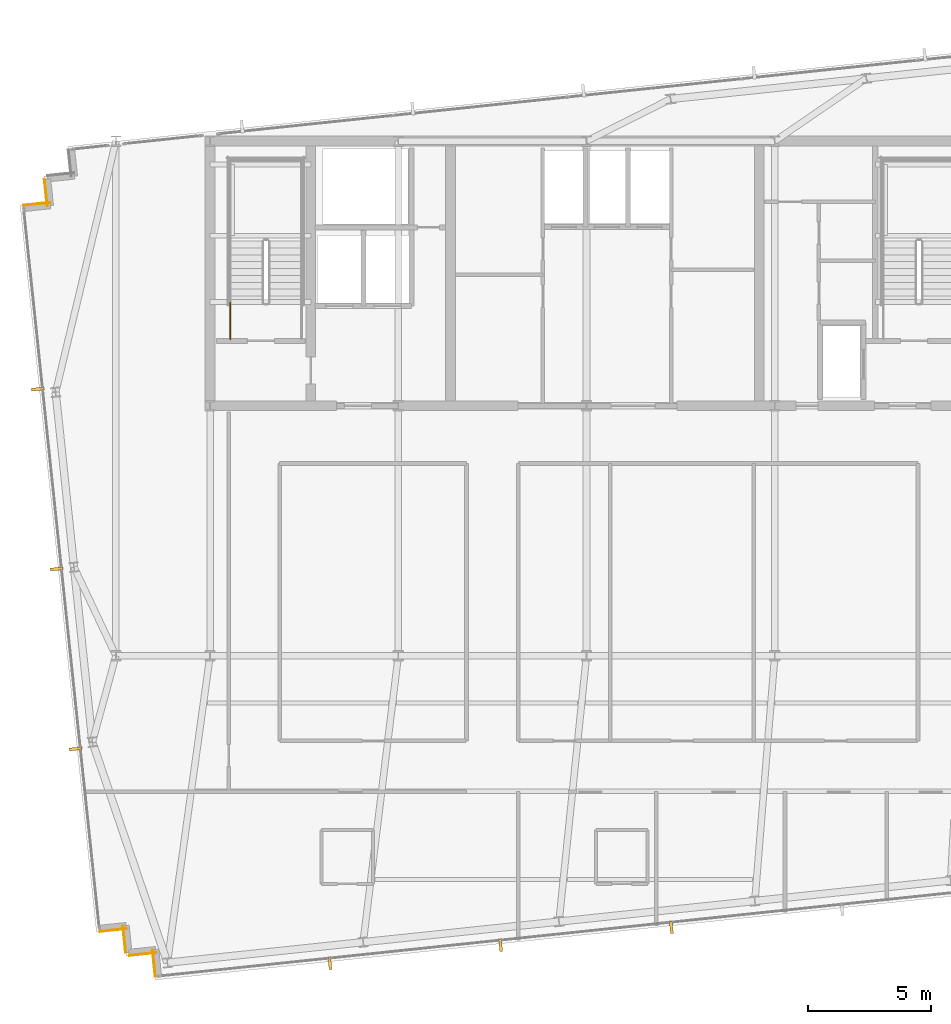
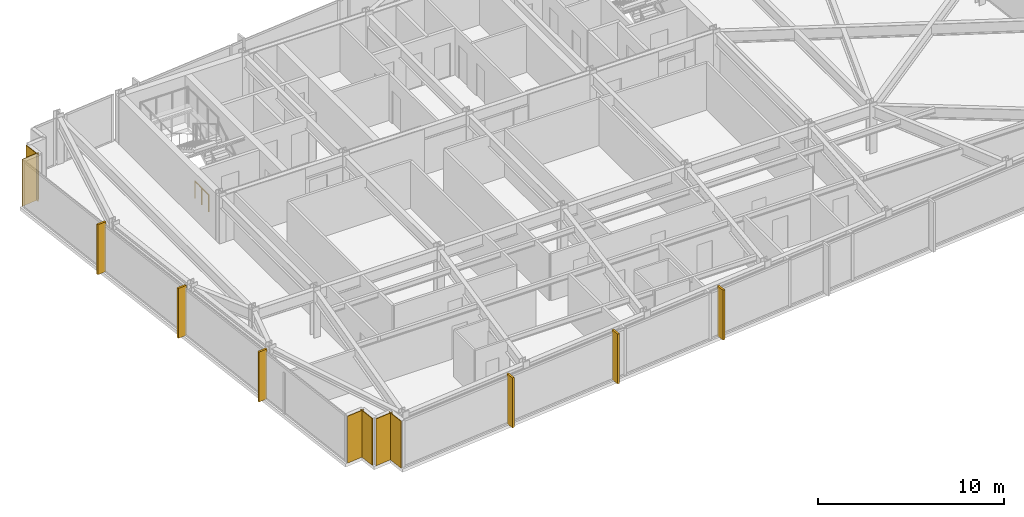
# One storey, part 29 of 32: 6 coverings, 6 shading devices, 1 railing.
"""IFC4 building model written with IfcOpenShell, lengths in metres."""

from ifc_helpers import new_model, si_unit, direction, frame, frame_2d, origin, origin_2d, place, context, subcontext, project, spatial, rectangle, circle, extrude, material, layer, layer_set, type_object, element, save


model = new_model("IFC4")

# Units and contexts
model_context = context("Model", 3, precision=1e-05, world=origin(), true_north=direction((0.0, 1.0)))
body_context = subcontext(model_context, "Body", "Model", "MODEL_VIEW")
ifc_project = project(units=[si_unit("LENGTHUNIT", "METRE"), si_unit("AREAUNIT", "SQUARE_METRE"), si_unit("VOLUMEUNIT", "CUBIC_METRE"), si_unit("PLANEANGLEUNIT", "RADIAN"), si_unit("MASSUNIT", "GRAM", prefix="KILO")], contexts=[model_context])

# Site, building, storey
site_placement = place(None, origin())
site = spatial("IfcSite", under=ifc_project, at=site_placement, CompositionType="ELEMENT")
building_placement = place(site_placement, origin())
building = spatial("IfcBuilding", under=site, at=building_placement, Name="Yelkora Congress Tower", CompositionType="ELEMENT")
storey_placement = place(building_placement, frame((0.0, 0.0, 214.39990234375)))
storey = spatial("IfcBuildingStorey", under=building, at=storey_placement, Name="L59", CompositionType="ELEMENT", Elevation=214.39990234375)

# Coverings
ifc_material_1 = material(Name="Anatolian bush-hammered limestone", Category="masonry")
ifc_layer_1 = layer(ifc_material_1, 0.0400390625)
ifc_layer_set_1 = layer_set([ifc_layer_1], Name="Anatolian bush-hammered limestone")
covering_type = type_object("IfcCoveringType", Name="COV-CLAD-SPANDREL-40", PredefinedType="CLADDING", material=ifc_layer_set_1)
covering_1_placement = place(storey_placement, frame((20.810302734375, 12.114501953125, 0.0), z_axis=(0.0, 0.0, 1.0), x_axis=(-0.104557671117, 0.994518825066, 0.0)))
element("IfcCovering", 1, at=covering_1_placement, inside=storey, type_object=covering_type, Name="L59 Anatolian Limestone Cladding EW-L59-SR01", PredefinedType="CLADDING", context=body_context, shape_type="SweptSolid", body=[
    extrude(rectangle(XDim=1.099853515625, YDim=0.0400390625, at=frame_2d((0.5498046875, 0.0))), origin(), (0.0, 0.0, 1.0), 3.080078125),
])
for number, where, z_axis, x_axis, name in (
    (2, (20.84375, 13.088134765625, 0.0), (0.0, 0.0, 1.0), (-0.994521251134, -0.104534592565, 0.0), "L59 Anatolian Limestone Cladding EW-L59-SR02"),
    (3, (19.601318359375, 13.09326171875, 0.0), (0.0, 0.0, 1.0), (-0.104534592565, 0.994521251134, 0.0), "L59 Anatolian Limestone Cladding EW-L59-SR03"),
    (4, (19.634765625, 14.067138671875, 0.0), (0.0, 0.0, 1.0), (-0.994521251134, -0.104534592565, 0.0), "L59 Anatolian Limestone Cladding EW-L59-SR04"),
):
    element("IfcCovering", number, at=place(storey_placement, frame(where, z_axis=z_axis, x_axis=x_axis)), inside=storey, type_object=covering_type, Name=name, PredefinedType="CLADDING", context=body_context, shape_type="SweptSolid", body=[
        extrude(rectangle(XDim=1.10009765625, YDim=0.0400390625, at=frame_2d((0.550048828125, 0.0))), origin(), (0.0, 0.0, 1.0), 3.080078125),
    ])
covering_2_placement = place(storey_placement, frame((15.427001953125, 43.5791015625, 0.0), z_axis=(0.0, 0.0, 1.0), x_axis=(0.994518825066, 0.104557671117, 0.0)))
element("IfcCovering", 5, at=covering_2_placement, inside=storey, type_object=covering_type, Name="L59 Anatolian Limestone Cladding EW-L59-SR06", PredefinedType="CLADDING", context=body_context, shape_type="SweptSolid", body=[
    extrude(rectangle(XDim=1.099853515625, YDim=0.0400390625, at=frame_2d((0.5498046875, 0.0))), origin(), (0.0, 0.0, 1.0), 3.080078125),
])
covering_3_placement = place(storey_placement, frame((16.400634765625, 43.545654296875, 0.0), z_axis=(0.0, 0.0, 1.0), x_axis=(-0.104315068386, 0.994544300928, 0.0)))
element("IfcCovering", 6, at=covering_3_placement, inside=storey, type_object=covering_type, Name="L59 Anatolian Limestone Cladding EW-L59-SR07", PredefinedType="CLADDING", context=body_context, shape_type="SweptSolid", body=[
    extrude(rectangle(XDim=1.10009765625, YDim=0.0400390625, at=frame_2d((0.550048828125, 0.0))), origin(), (0.0, 0.0, 1.0), 3.080078125),
])

# Railing
ifc_material_2 = material(Name="Painted galvanised steel stair well guard with vertical infill", Category="steel")
ifc_layer_2 = layer(ifc_material_2, 0.06005859375)
ifc_layer_set_2 = layer_set([ifc_layer_2], Name="Painted galvanised steel stair well guard with vertical infill")
railing_type = type_object("IfcRailingType", Name="RAIL-STAIR-GUARD-1120", PredefinedType="GUARDRAIL", material=ifc_layer_set_2)
railing_placement = place(storey_placement, frame((23.8701171875, 38.1201171875, 0.0)))
element("IfcRailing", 7, at=railing_placement, inside=storey, type_object=railing_type, Name="ST-01 L59 Stair Well Guardrail 9", PredefinedType="GUARDRAIL", context=body_context, shape_type="SweptSolid", body=[
    extrude(circle(Radius=0.02392578125, at=origin_2d()), frame((0.0, 0.0, 1.09619140625), z_axis=(0.0, 1.0, 0.0), x_axis=(-1.0, 0.0, 0.0)), (0.0, 0.0, 1.0), 1.47998046875),
    extrude(circle(Radius=0.02099609375, at=origin_2d()), origin(), (0.0, 0.0, 1.0), 1.072021484375),
    extrude(circle(Radius=0.02099609375, at=origin_2d()), frame((0.0, 0.739990234375, 0.0)), (0.0, 0.0, 1.0), 1.072021484375),
    extrude(circle(Radius=0.02099609375, at=origin_2d()), frame((0.0, 1.47998046875, 0.0)), (0.0, 0.0, 1.0), 1.072021484375),
])

# Shading devices
ifc_material_3 = material(Name="Champagne anodised aluminium", Category="aluminium")
ifc_layer_3 = layer(ifc_material_3, 3.300048828125)
ifc_layer_set_3 = layer_set([ifc_layer_3], Name="Champagne anodised aluminium")
shading_device_type = type_object("IfcShadingDeviceType", Name="SHD-FIN-ALU-520", PredefinedType="USERDEFINED", material=ifc_layer_set_3)
for number, where, z_axis, x_axis, name in (
    (8, (17.556396484375, 21.405029296875, -0.02978515625), (0.0, 0.0, 1.0), (-0.104528463268, 0.994521895368, 0.0), "L59 Vertical Anodised Solar Fin 5-1"),
    (9, (16.784912109375, 28.74462890625, -0.02978515625), (0.0, 0.0, 1.0), (-0.104528463268, 0.994521895368, 0.0), "L59 Vertical Anodised Solar Fin 5-2"),
    (10, (16.013671875, 36.084228515625, -0.02978515625), (0.0, 0.0, 1.0), (-0.104528463268, 0.994521895368, 0.0), "L59 Vertical Anodised Solar Fin 5-3"),
    (11, (41.85888671875, 14.12548828125, -0.02978515625), (0.0, 0.0, 1.0), (-0.994521895368, -0.104528463268, 0.0), "L59 Vertical Anodised Solar Fin 20-4"),
    (12, (34.89453125, 13.3935546875, -0.02978515625), (0.0, 0.0, 1.0), (-0.994521895368, -0.104528463268, 0.0), "L59 Vertical Anodised Solar Fin 20-5"),
    (13, (27.929931640625, 12.66162109375, -0.02978515625), (0.0, 0.0, 1.0), (-0.994521895368, -0.104528463268, 0.0), "L59 Vertical Anodised Solar Fin 20-6"),
):
    element("IfcShadingDevice", number, at=place(storey_placement, frame(where, z_axis=z_axis, x_axis=x_axis)), inside=storey, type_object=shading_device_type, Name=name, ObjectType="FIN", PredefinedType="USERDEFINED", context=body_context, shape_type="SweptSolid", body=[
        extrude(rectangle(XDim=0.1201171875, YDim=0.52001953125, at=origin_2d()), origin(), (0.0, 0.0, 1.0), 3.280029296875),
    ])

save(model, "model.ifc")
